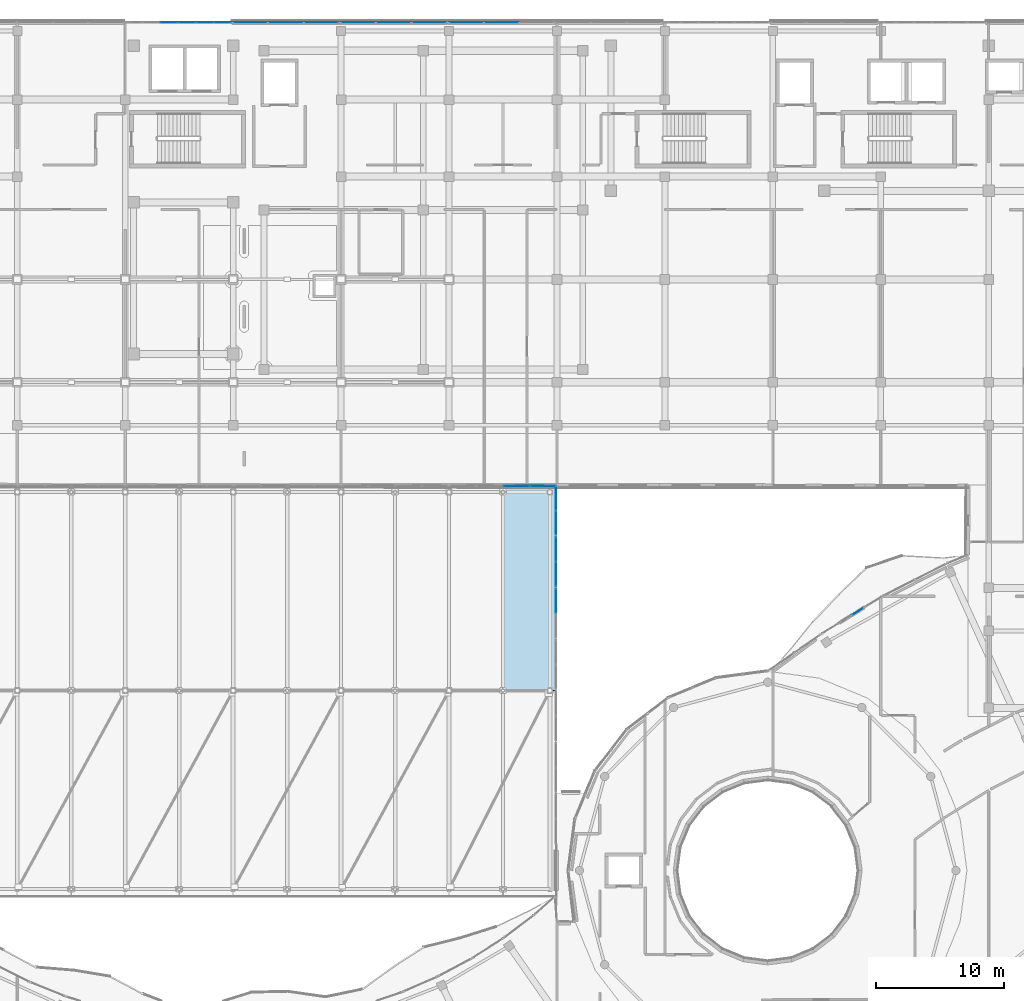
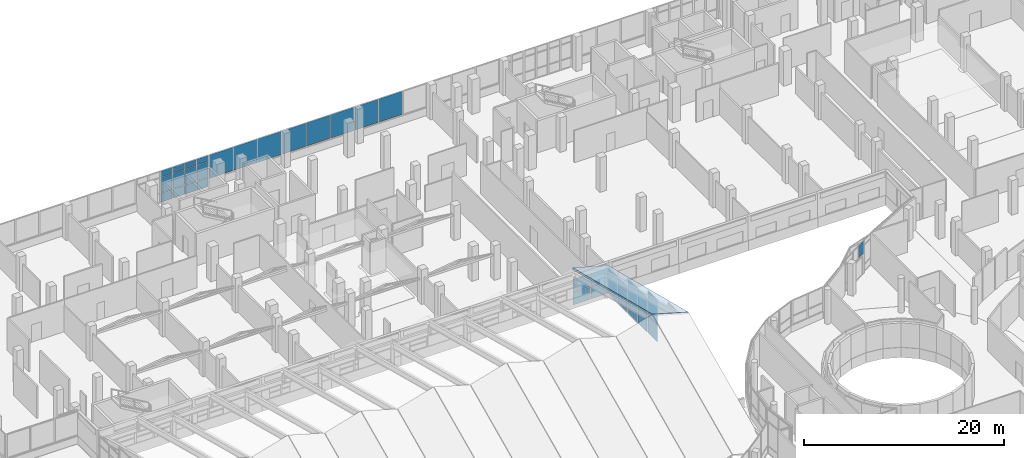
# One storey, part 152 of 184: 35 plates, 1 slab, 9 elements without a shape of their own.
"""IFC4 building model written with IfcOpenShell, lengths in metres."""

from ifc_helpers import new_model, si_unit, direction, frame, origin, origin_2d, place, context, subcontext, project, spatial, polyline, rectangle, outline, extrude, material, layer, layer_set, type_object, element, aggregate, save


model = new_model("IFC4")

# Units and contexts
model_context = context("Model", 3, precision=1e-05, world=origin(), true_north=direction((0.0, 1.0)))
body_context = subcontext(model_context, "Body", "Model", "MODEL_VIEW")
ifc_project = project(units=[si_unit("LENGTHUNIT", "METRE"), si_unit("AREAUNIT", "SQUARE_METRE"), si_unit("VOLUMEUNIT", "CUBIC_METRE"), si_unit("PLANEANGLEUNIT", "RADIAN"), si_unit("MASSUNIT", "GRAM", prefix="KILO")], contexts=[model_context])

# Site, building, storey
site_placement = place(None, origin())
site = spatial("IfcSite", under=ifc_project, at=site_placement, CompositionType="ELEMENT")
building_placement = place(site_placement, origin())
building = spatial("IfcBuilding", under=site, at=building_placement, Name="Selatvlak General Hospital", CompositionType="ELEMENT")
storey_placement = place(building_placement, frame((0.0, 0.0, 15.0)))
storey = spatial("IfcBuildingStorey", under=building, at=storey_placement, Name="L03", CompositionType="ELEMENT", Elevation=15.0)

# Curtain wall, plates
ifc_material_1 = material(Name="Solar-control Low-E double glazing", Category="glass")
curtain_wall_type_1 = type_object("IfcCurtainWallType", Name="CW-CW-04", PredefinedType="USERDEFINED", material=ifc_material_1)
curtain_wall_1_placement = place(storey_placement, origin())
curtain_wall_1 = element("IfcCurtainWall", 1, at=curtain_wall_1_placement, inside=storey, type_object=curtain_wall_type_1, Name="Glazed facade curtain wall CW-L03-0368", ObjectType="STICK GLAZING WALL", PredefinedType="USERDEFINED")
ifc_layer_1 = layer(ifc_material_1, 0.028076171875, Name="Solar-control Low-E double glazing", Category="glass")
ifc_layer_set_1 = layer_set([ifc_layer_1], Name="Solar-control Low-E double glazing")
plate_type = type_object("IfcPlateType", Name="CWP-01", PredefinedType="CURTAIN_PANEL", material=ifc_layer_set_1)
plate_1_placement = place(storey_placement, frame((51.4140625, 119.9990234375, 0.06494140625), z_axis=(0.0, 0.0, 1.0), x_axis=(1.0, 0.0, 0.0)))
plate_1 = element("IfcPlate", 2, at=plate_1_placement, type_object=plate_type, Name="CW-04 panel 3.1", PredefinedType="CURTAIN_PANEL", context=body_context, shape_type="SweptSolid", body=[
    extrude(rectangle(XDim=1.32666015625, YDim=0.028076171875, at=origin_2d()), origin(), (0.0, 0.0, 1.0), 1.1025390625),
])
plate_2_placement = place(storey_placement, frame((51.4140625, 119.9990234375, 1.232421875), z_axis=(0.0, 0.0, 1.0), x_axis=(1.0, 0.0, 0.0)))
plate_2 = element("IfcPlate", 3, at=plate_2_placement, type_object=plate_type, Name="CW-04 panel 3.2", PredefinedType="CURTAIN_PANEL", context=body_context, shape_type="SweptSolid", body=[
    extrude(rectangle(XDim=1.32666015625, YDim=0.028076171875, at=origin_2d()), origin(), (0.0, 0.0, 1.0), 1.830078125),
])
plate_3_placement = place(storey_placement, frame((51.4140625, 119.9990234375, 3.12744140625), z_axis=(0.0, 0.0, 1.0), x_axis=(1.0, 0.0, 0.0)))
plate_3 = element("IfcPlate", 4, at=plate_3_placement, type_object=plate_type, Name="CW-04 panel 3.3", PredefinedType="CURTAIN_PANEL", context=body_context, shape_type="SweptSolid", body=[
    extrude(rectangle(XDim=1.32666015625, YDim=0.028076171875, at=origin_2d()), origin(), (0.0, 0.0, 1.0), 0.702392578125),
])
plate_4_placement = place(storey_placement, frame((52.805908203125, 119.9990234375, 0.06494140625), z_axis=(0.0, 0.0, 1.0), x_axis=(1.0, 0.0, 0.0)))
plate_4 = element("IfcPlate", 5, at=plate_4_placement, type_object=plate_type, Name="CW-04 panel 4.1", PredefinedType="CURTAIN_PANEL", context=body_context, shape_type="SweptSolid", body=[
    extrude(rectangle(XDim=1.32666015625, YDim=0.028076171875, at=origin_2d()), origin(), (0.0, 0.0, 1.0), 1.1025390625),
])
plate_5_placement = place(storey_placement, frame((52.805908203125, 119.9990234375, 1.232421875), z_axis=(0.0, 0.0, 1.0), x_axis=(1.0, 0.0, 0.0)))
plate_5 = element("IfcPlate", 6, at=plate_5_placement, type_object=plate_type, Name="CW-04 panel 4.2", PredefinedType="CURTAIN_PANEL", context=body_context, shape_type="SweptSolid", body=[
    extrude(rectangle(XDim=1.32666015625, YDim=0.028076171875, at=origin_2d()), origin(), (0.0, 0.0, 1.0), 1.830078125),
])
plate_6_placement = place(storey_placement, frame((52.805908203125, 119.9990234375, 3.12744140625), z_axis=(0.0, 0.0, 1.0), x_axis=(1.0, 0.0, 0.0)))
plate_6 = element("IfcPlate", 7, at=plate_6_placement, type_object=plate_type, Name="CW-04 panel 4.3", PredefinedType="CURTAIN_PANEL", context=body_context, shape_type="SweptSolid", body=[
    extrude(rectangle(XDim=1.32666015625, YDim=0.028076171875, at=origin_2d()), origin(), (0.0, 0.0, 1.0), 0.702392578125),
])
plate_7_placement = place(storey_placement, frame((54.197509765625, 119.9990234375, 0.06494140625), z_axis=(0.0, 0.0, 1.0), x_axis=(1.0, 0.0, 0.0)))
plate_7 = element("IfcPlate", 8, at=plate_7_placement, type_object=plate_type, Name="CW-04 panel 5.1", PredefinedType="CURTAIN_PANEL", context=body_context, shape_type="SweptSolid", body=[
    extrude(rectangle(XDim=1.32666015625, YDim=0.028076171875, at=origin_2d()), origin(), (0.0, 0.0, 1.0), 1.1025390625),
])
plate_8_placement = place(storey_placement, frame((54.197509765625, 119.9990234375, 1.232421875), z_axis=(0.0, 0.0, 1.0), x_axis=(1.0, 0.0, 0.0)))
plate_8 = element("IfcPlate", 9, at=plate_8_placement, type_object=plate_type, Name="CW-04 panel 5.2", PredefinedType="CURTAIN_PANEL", context=body_context, shape_type="SweptSolid", body=[
    extrude(rectangle(XDim=1.32666015625, YDim=0.028076171875, at=origin_2d()), origin(), (0.0, 0.0, 1.0), 1.830078125),
])
plate_9_placement = place(storey_placement, frame((54.197509765625, 119.9990234375, 3.12744140625), z_axis=(0.0, 0.0, 1.0), x_axis=(1.0, 0.0, 0.0)))
plate_9 = element("IfcPlate", 10, at=plate_9_placement, type_object=plate_type, Name="CW-04 panel 5.3", PredefinedType="CURTAIN_PANEL", context=body_context, shape_type="SweptSolid", body=[
    extrude(rectangle(XDim=1.32666015625, YDim=0.028076171875, at=origin_2d()), origin(), (0.0, 0.0, 1.0), 0.702392578125),
])
plate_10_placement = place(storey_placement, frame((55.572998046875, 119.9990234375, 0.06494140625), z_axis=(0.0, 0.0, 1.0), x_axis=(1.0, 0.0, 0.0)))
plate_10 = element("IfcPlate", 11, at=plate_10_placement, type_object=plate_type, Name="CW-04 panel 6.1", PredefinedType="CURTAIN_PANEL", context=body_context, shape_type="SweptSolid", body=[
    extrude(rectangle(XDim=1.294189453125, YDim=0.028076171875, at=origin_2d()), origin(), (0.0, 0.0, 1.0), 1.1025390625),
])
plate_11_placement = place(storey_placement, frame((55.572998046875, 119.9990234375, 1.232421875), z_axis=(0.0, 0.0, 1.0), x_axis=(1.0, 0.0, 0.0)))
plate_11 = element("IfcPlate", 12, at=plate_11_placement, type_object=plate_type, Name="CW-04 panel 6.2", PredefinedType="CURTAIN_PANEL", context=body_context, shape_type="SweptSolid", body=[
    extrude(rectangle(XDim=1.294189453125, YDim=0.028076171875, at=origin_2d()), origin(), (0.0, 0.0, 1.0), 1.830078125),
])
plate_12_placement = place(storey_placement, frame((55.572998046875, 119.9990234375, 3.12744140625), z_axis=(0.0, 0.0, 1.0), x_axis=(1.0, 0.0, 0.0)))
plate_12 = element("IfcPlate", 13, at=plate_12_placement, type_object=plate_type, Name="CW-04 panel 6.3", PredefinedType="CURTAIN_PANEL", context=body_context, shape_type="SweptSolid", body=[
    extrude(rectangle(XDim=1.294189453125, YDim=0.028076171875, at=origin_2d()), origin(), (0.0, 0.0, 1.0), 0.702392578125),
])
aggregate(curtain_wall_1, [plate_1, plate_2, plate_3, plate_4, plate_5, plate_6, plate_7, plate_8, plate_9, plate_10, plate_11, plate_12])

curtain_wall_type_2 = type_object("IfcCurtainWallType", Name="CW-CW-02", PredefinedType="USERDEFINED", material=ifc_material_1)
curtain_wall_2_placement = place(storey_placement, origin())
curtain_wall_2 = element("IfcCurtainWall", 14, at=curtain_wall_2_placement, inside=storey, type_object=curtain_wall_type_2, Name="Glazed facade curtain wall CW-L03-0369", ObjectType="UNITISED CURTAIN WALL", PredefinedType="USERDEFINED")
plate_13_placement = place(storey_placement, frame((57.722900390625, 119.9990234375, 1.0048828125), z_axis=(0.0, 0.0, 1.0), x_axis=(1.0, 0.0, 0.0)))
plate_13 = element("IfcPlate", 15, at=plate_13_placement, type_object=plate_type, Name="CW-02 panel 1.1", PredefinedType="CURTAIN_PANEL", context=body_context, shape_type="SweptSolid", body=[
    extrude(rectangle(XDim=2.685791015625, YDim=0.028076171875, at=origin_2d()), origin(), (0.0, 0.0, 1.0), 2.824951171875),
])
plate_14_placement = place(storey_placement, frame((60.489990234375, 119.9990234375, 1.0048828125), z_axis=(0.0, 0.0, 1.0), x_axis=(1.0, 0.0, 0.0)))
plate_14 = element("IfcPlate", 16, at=plate_14_placement, type_object=plate_type, Name="CW-02 panel 2.1", PredefinedType="CURTAIN_PANEL", context=body_context, shape_type="SweptSolid", body=[
    extrude(rectangle(XDim=2.71826171875, YDim=0.028076171875, at=origin_2d()), origin(), (0.0, 0.0, 1.0), 2.824951171875),
])
plate_15_placement = place(storey_placement, frame((63.257080078125, 119.9990234375, 1.0048828125), z_axis=(0.0, 0.0, 1.0), x_axis=(1.0, 0.0, 0.0)))
plate_15 = element("IfcPlate", 17, at=plate_15_placement, type_object=plate_type, Name="CW-02 panel 3.1", PredefinedType="CURTAIN_PANEL", context=body_context, shape_type="SweptSolid", body=[
    extrude(rectangle(XDim=2.685791015625, YDim=0.028076171875, at=origin_2d()), origin(), (0.0, 0.0, 1.0), 2.824951171875),
])
aggregate(curtain_wall_2, [plate_13, plate_14, plate_15])

curtain_wall_type_3 = type_object("IfcCurtainWallType", Name="CW-CW-01", PredefinedType="USERDEFINED", material=ifc_material_1)
curtain_wall_3_placement = place(storey_placement, origin())
curtain_wall_3 = element("IfcCurtainWall", 18, at=curtain_wall_3_placement, inside=storey, type_object=curtain_wall_type_3, Name="Glazed facade curtain wall CW-L03-0370", ObjectType="UNITISED CURTAIN WALL", PredefinedType="USERDEFINED")
plate_16_placement = place(storey_placement, frame((66.14453125, 119.9990234375, 1.0048828125), z_axis=(0.0, 0.0, 1.0), x_axis=(1.0, 0.0, 0.0)))
plate_16 = element("IfcPlate", 19, at=plate_16_placement, type_object=plate_type, Name="CW-01 panel 1.1", PredefinedType="CURTAIN_PANEL", context=body_context, shape_type="SweptSolid", body=[
    extrude(rectangle(XDim=2.669189453125, YDim=0.028076171875, at=origin_2d()), origin(), (0.0, 0.0, 1.0), 2.824951171875),
])
plate_17_placement = place(storey_placement, frame((68.89501953125, 119.9990234375, 1.0048828125), z_axis=(0.0, 0.0, 1.0), x_axis=(1.0, 0.0, 0.0)))
plate_17 = element("IfcPlate", 20, at=plate_17_placement, type_object=plate_type, Name="CW-01 panel 2.1", PredefinedType="CURTAIN_PANEL", context=body_context, shape_type="SweptSolid", body=[
    extrude(rectangle(XDim=2.70166015625, YDim=0.028076171875, at=origin_2d()), origin(), (0.0, 0.0, 1.0), 2.824951171875),
])
plate_18_placement = place(storey_placement, frame((71.6455078125, 119.9990234375, 1.0048828125), z_axis=(0.0, 0.0, 1.0), x_axis=(1.0, 0.0, 0.0)))
plate_18 = element("IfcPlate", 21, at=plate_18_placement, type_object=plate_type, Name="CW-01 panel 3.1", PredefinedType="CURTAIN_PANEL", context=body_context, shape_type="SweptSolid", body=[
    extrude(rectangle(XDim=2.669189453125, YDim=0.028076171875, at=origin_2d()), origin(), (0.0, 0.0, 1.0), 2.824951171875),
])
aggregate(curtain_wall_3, [plate_16, plate_17, plate_18])

curtain_wall_4_placement = place(storey_placement, origin())
curtain_wall_4 = element("IfcCurtainWall", 22, at=curtain_wall_4_placement, inside=storey, type_object=curtain_wall_type_2, Name="Glazed facade curtain wall CW-L03-0371", ObjectType="UNITISED CURTAIN WALL", PredefinedType="USERDEFINED")
plate_19_placement = place(storey_placement, frame((74.524658203125, 119.9990234375, 1.0048828125), z_axis=(0.0, 0.0, 1.0), x_axis=(1.0, 0.0, 0.0)))
plate_19 = element("IfcPlate", 23, at=plate_19_placement, type_object=plate_type, Name="CW-02 panel 1.1", PredefinedType="CURTAIN_PANEL", context=body_context, shape_type="SweptSolid", body=[
    extrude(rectangle(XDim=2.669189453125, YDim=0.028076171875, at=origin_2d()), origin(), (0.0, 0.0, 1.0), 2.824951171875),
])
plate_20_placement = place(storey_placement, frame((77.27490234375, 119.9990234375, 1.0048828125), z_axis=(0.0, 0.0, 1.0), x_axis=(1.0, 0.0, 0.0)))
plate_20 = element("IfcPlate", 24, at=plate_20_placement, type_object=plate_type, Name="CW-02 panel 2.1", PredefinedType="CURTAIN_PANEL", context=body_context, shape_type="SweptSolid", body=[
    extrude(rectangle(XDim=2.70166015625, YDim=0.028076171875, at=origin_2d()), origin(), (0.0, 0.0, 1.0), 2.824951171875),
])
aggregate(curtain_wall_4, [plate_19, plate_20])

# Curtain wall, plate
curtain_wall_5_placement = place(storey_placement, origin())
curtain_wall_5 = element("IfcCurtainWall", 25, at=curtain_wall_5_placement, inside=storey, type_object=curtain_wall_type_2, Name="Glazed facade curtain wall CW-L03-0470", ObjectType="UNITISED CURTAIN WALL", PredefinedType="USERDEFINED")
plate_21_placement = place(storey_placement, frame((105.002685546875, 74.15283203125, 2.384765625), z_axis=(0.0, 0.0, 1.0), x_axis=(0.850415359562, 0.526111885649, 0.0)))
plate_21 = element("IfcPlate", 26, at=plate_21_placement, type_object=plate_type, Name="CW-02 panel 2.1", PredefinedType="CURTAIN_PANEL", context=body_context, shape_type="SweptSolid", body=[
    extrude(rectangle(XDim=1.037353515625, YDim=0.028076171875, at=origin_2d()), origin(), (0.0, 0.0, 1.0), 1.445068359375),
])
aggregate(curtain_wall_5, [plate_21])

# Curtain wall, plates
curtain_wall_6_placement = place(storey_placement, origin())
curtain_wall_6 = element("IfcCurtainWall", 27, at=curtain_wall_6_placement, inside=storey, type_object=curtain_wall_type_1, Name="Glazed facade curtain wall CW-L03-0722", ObjectType="STICK GLAZING WALL", PredefinedType="USERDEFINED")
plate_22_placement = place(storey_placement, frame((78.465087890625, 83.919921875, 0.06494140625), z_axis=(0.0, 0.0, 1.0), x_axis=(1.0, 0.0, 0.0)))
plate_22 = element("IfcPlate", 28, at=plate_22_placement, type_object=plate_type, Name="CW-04 panel 3.1", PredefinedType="CURTAIN_PANEL", context=body_context, shape_type="SweptSolid", body=[
    extrude(rectangle(XDim=2.014892578125, YDim=0.028076171875, at=origin_2d()), origin(), (0.0, 0.0, 1.0), 1.50244140625),
])
plate_23_placement = place(storey_placement, frame((78.465087890625, 83.919921875, 1.63232421875), z_axis=(0.0, 0.0, 1.0), x_axis=(1.0, 0.0, 0.0)))
plate_23 = element("IfcPlate", 29, at=plate_23_placement, type_object=plate_type, Name="CW-04 panel 3.2", PredefinedType="CURTAIN_PANEL", context=body_context, shape_type="SweptSolid", body=[
    extrude(rectangle(XDim=2.014892578125, YDim=0.028076171875, at=origin_2d()), origin(), (0.0, 0.0, 1.0), 1.552490234375),
])
plate_24_placement = place(storey_placement, frame((80.52880859375, 83.919921875, 0.06494140625), z_axis=(0.0, 0.0, 1.0), x_axis=(1.0, 0.0, 0.0)))
plate_24 = element("IfcPlate", 30, at=plate_24_placement, type_object=plate_type, Name="CW-04 panel 4.1", PredefinedType="CURTAIN_PANEL", context=body_context, shape_type="SweptSolid", body=[
    extrude(rectangle(XDim=1.982421875, YDim=0.028076171875, at=origin_2d()), origin(), (0.0, 0.0, 1.0), 1.50244140625),
])
plate_25_placement = place(storey_placement, frame((80.52880859375, 83.919921875, 1.63232421875), z_axis=(0.0, 0.0, 1.0), x_axis=(1.0, 0.0, 0.0)))
plate_25 = element("IfcPlate", 31, at=plate_25_placement, type_object=plate_type, Name="CW-04 panel 4.2", PredefinedType="CURTAIN_PANEL", context=body_context, shape_type="SweptSolid", body=[
    extrude(rectangle(XDim=1.982421875, YDim=0.028076171875, at=origin_2d()), origin(), (0.0, 0.0, 1.0), 1.552490234375),
])
aggregate(curtain_wall_6, [plate_22, plate_23, plate_24, plate_25])

curtain_wall_type_4 = type_object("IfcCurtainWallType", Name="CW-CW-05", PredefinedType="USERDEFINED", material=ifc_material_1)
curtain_wall_7_placement = place(storey_placement, origin())
curtain_wall_7 = element("IfcCurtainWall", 32, at=curtain_wall_7_placement, inside=storey, type_object=curtain_wall_type_4, Name="Glazed facade curtain wall CW-L03-0734", ObjectType="STICK GLAZING WALL", PredefinedType="USERDEFINED")
plate_26_placement = place(storey_placement, frame((81.52001953125, 74.98876953125, 0.06494140625), z_axis=(0.0, 0.0, 1.0), x_axis=(0.0, 1.0, 0.0)))
plate_26 = element("IfcPlate", 33, at=plate_26_placement, type_object=plate_type, Name="CW-05 panel 2.1", PredefinedType="CURTAIN_PANEL", context=body_context, shape_type="SweptSolid", body=[
    extrude(rectangle(XDim=1.862548828125, YDim=0.028076171875, at=origin_2d()), origin(), (0.0, 0.0, 1.0), 2.1025390625),
])
plate_27_placement = place(storey_placement, frame((81.52001953125, 74.98876953125, 2.232421875), z_axis=(0.0, 0.0, 1.0), x_axis=(0.0, 1.0, 0.0)))
plate_27 = element("IfcPlate", 34, at=plate_27_placement, type_object=plate_type, Name="CW-05 panel 2.2", PredefinedType="CURTAIN_PANEL", context=body_context, shape_type="SweptSolid", body=[
    extrude(rectangle(XDim=1.862548828125, YDim=0.028076171875, at=origin_2d()), origin(), (0.0, 0.0, 1.0), 2.952392578125),
])
aggregate(curtain_wall_7, [plate_26, plate_27])

curtain_wall_8_placement = place(storey_placement, origin())
curtain_wall_8 = element("IfcCurtainWall", 35, at=curtain_wall_8_placement, inside=storey, type_object=curtain_wall_type_4, Name="Glazed facade curtain wall CW-L03-0735", ObjectType="STICK GLAZING WALL", PredefinedType="USERDEFINED")
plate_28_placement = place(storey_placement, frame((81.52001953125, 77.061279296875, 0.06494140625), z_axis=(0.0, 0.0, 1.0), x_axis=(0.0, 1.0, 0.0)))
plate_28 = element("IfcPlate", 36, at=plate_28_placement, type_object=plate_type, Name="CW-05 panel 1.1", PredefinedType="CURTAIN_PANEL", context=body_context, shape_type="SweptSolid", body=[
    extrude(rectangle(XDim=1.862548828125, YDim=0.028076171875, at=origin_2d()), origin(), (0.0, 0.0, 1.0), 2.1025390625),
])
plate_29_placement = place(storey_placement, frame((81.52001953125, 77.061279296875, 2.232421875), z_axis=(0.0, 0.0, 1.0), x_axis=(0.0, 1.0, 0.0)))
plate_29 = element("IfcPlate", 37, at=plate_29_placement, type_object=plate_type, Name="CW-05 panel 1.2", PredefinedType="CURTAIN_PANEL", context=body_context, shape_type="SweptSolid", body=[
    extrude(rectangle(XDim=1.862548828125, YDim=0.028076171875, at=origin_2d()), origin(), (0.0, 0.0, 1.0), 1.952392578125),
])
plate_30_placement = place(storey_placement, frame((81.52001953125, 78.98876953125, 0.06494140625), z_axis=(0.0, 0.0, 1.0), x_axis=(0.0, 1.0, 0.0)))
plate_30 = element("IfcPlate", 38, at=plate_30_placement, type_object=plate_type, Name="CW-05 panel 2.1", PredefinedType="CURTAIN_PANEL", context=body_context, shape_type="SweptSolid", body=[
    extrude(rectangle(XDim=1.862548828125, YDim=0.028076171875, at=origin_2d()), origin(), (0.0, 0.0, 1.0), 2.1025390625),
])
plate_31_placement = place(storey_placement, frame((81.52001953125, 78.98876953125, 2.232421875), z_axis=(0.0, 0.0, 1.0), x_axis=(0.0, 1.0, 0.0)))
plate_31 = element("IfcPlate", 39, at=plate_31_placement, type_object=plate_type, Name="CW-05 panel 2.2", PredefinedType="CURTAIN_PANEL", context=body_context, shape_type="SweptSolid", body=[
    extrude(rectangle(XDim=1.862548828125, YDim=0.028076171875, at=origin_2d()), origin(), (0.0, 0.0, 1.0), 1.952392578125),
])
aggregate(curtain_wall_8, [plate_28, plate_29, plate_30, plate_31])

curtain_wall_9_placement = place(storey_placement, origin())
curtain_wall_9 = element("IfcCurtainWall", 40, at=curtain_wall_9_placement, inside=storey, type_object=curtain_wall_type_4, Name="Glazed facade curtain wall CW-L03-0736", ObjectType="STICK GLAZING WALL", PredefinedType="USERDEFINED")
plate_32_placement = place(storey_placement, frame((81.52001953125, 81.061279296875, 0.06494140625), z_axis=(0.0, 0.0, 1.0), x_axis=(0.0, 1.0, 0.0)))
plate_32 = element("IfcPlate", 41, at=plate_32_placement, type_object=plate_type, Name="CW-05 panel 1.1", PredefinedType="CURTAIN_PANEL", context=body_context, shape_type="SweptSolid", body=[
    extrude(rectangle(XDim=1.862548828125, YDim=0.028076171875, at=origin_2d()), origin(), (0.0, 0.0, 1.0), 2.1025390625),
])
plate_33_placement = place(storey_placement, frame((81.52001953125, 81.061279296875, 2.232421875), z_axis=(0.0, 0.0, 1.0), x_axis=(0.0, 1.0, 0.0)))
plate_33 = element("IfcPlate", 42, at=plate_33_placement, type_object=plate_type, Name="CW-05 panel 1.2", PredefinedType="CURTAIN_PANEL", context=body_context, shape_type="SweptSolid", body=[
    extrude(rectangle(XDim=1.862548828125, YDim=0.028076171875, at=origin_2d()), origin(), (0.0, 0.0, 1.0), 0.952392578125),
])
plate_34_placement = place(storey_placement, frame((81.52001953125, 82.98876953125, 0.06494140625), z_axis=(0.0, 0.0, 1.0), x_axis=(0.0, 1.0, 0.0)))
plate_34 = element("IfcPlate", 43, at=plate_34_placement, type_object=plate_type, Name="CW-05 panel 2.1", PredefinedType="CURTAIN_PANEL", context=body_context, shape_type="SweptSolid", body=[
    extrude(rectangle(XDim=1.862548828125, YDim=0.028076171875, at=origin_2d()), origin(), (0.0, 0.0, 1.0), 2.1025390625),
])
plate_35_placement = place(storey_placement, frame((81.52001953125, 82.98876953125, 2.232421875), z_axis=(0.0, 0.0, 1.0), x_axis=(0.0, 1.0, 0.0)))
plate_35 = element("IfcPlate", 44, at=plate_35_placement, type_object=plate_type, Name="CW-05 panel 2.2", PredefinedType="CURTAIN_PANEL", context=body_context, shape_type="SweptSolid", body=[
    extrude(rectangle(XDim=1.862548828125, YDim=0.028076171875, at=origin_2d()), origin(), (0.0, 0.0, 1.0), 0.952392578125),
])
aggregate(curtain_wall_9, [plate_32, plate_33, plate_34, plate_35])

# Slab
ifc_material_2 = material(Name="Concrete C40/50", Category="concrete")
ifc_layer_2 = layer(ifc_material_2, 0.2041015625, Name="Concrete C40/50", Category="concrete")
ifc_layer_set_2 = layer_set([ifc_layer_2], Name="Concrete C40/50")
slab_type = type_object("IfcSlabType", Name="SLAB-SL-FP4", PredefinedType="ROOF", material=ifc_layer_set_2)
slab_placement = place(storey_placement, frame((77.425048828125, 68.02490234375, 8.60009765625), z_axis=(0.270120632948, 0.233862279768, 0.933993189353), x_axis=(0.960631764476, 0.0, -0.277824788455)))
element("IfcSlab", 45, at=slab_placement, inside=storey, type_object=slab_type, Name="Folded-plate roof facet RF-FP-28", PredefinedType="ROOF", context=body_context, shape_type="SweptSolid", body=[
    extrude(outline(polyline([(0.0, 0.0), (4.3199720196789135, 5.551115123125783e-17), (5.431271173500012, 16.43072607395792), (1.1112991538210986, 16.43072607395792), (0.0, 0.0)])), origin(), (0.0, 0.0, -1.0), 0.2041015625),
])

save(model, "model.ifc")
